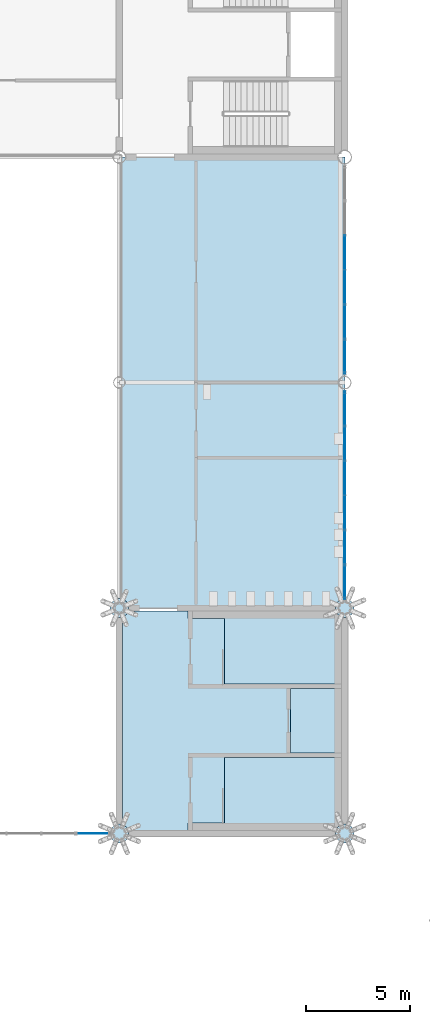
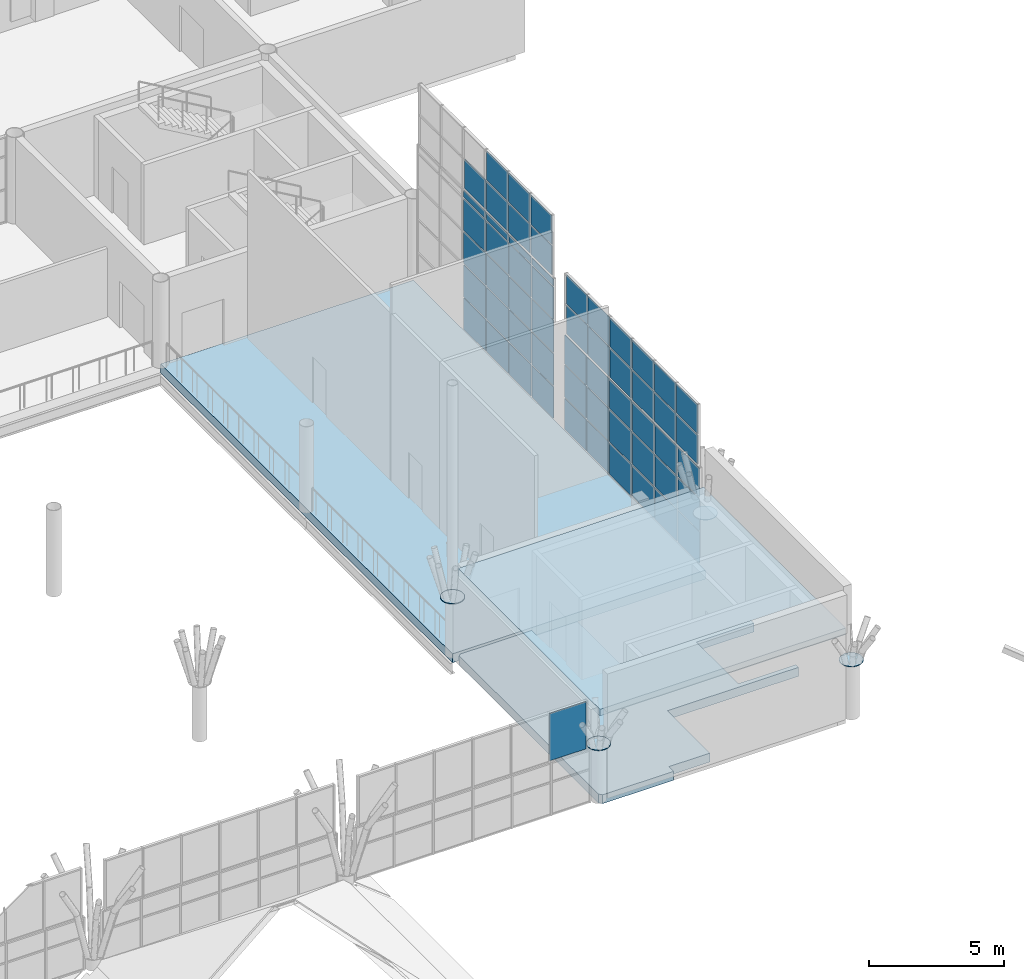
# One storey, part 49 of 95: 62 plates, 3 slabs, 5 elements without a shape of their own.
"""IFC4 building model written with IfcOpenShell, lengths in metres."""

import ifcopenshell
import ifcopenshell.guid

model = None  # the IFC model being written
_history = None  # IfcOwnerHistory: only IFC2X3 demands one
_inside = {}  # id of a spatial element -> (the spatial element, [elements in it])
_under = {}  # id of a project, library or spatial element -> (it, [spatial elements below it])
_declared = {}  # id of a project -> (the project, [libraries it declares])
_typed = {}  # id of a type object -> (the type object, [elements of that type])
_made_of = {}  # id of a material, layer set ... -> (it, [elements and type objects made of it])


def new_model(schema):
    """Start an empty IFC model of exactly this schema.

    Asked for "IFC4X3", IfcOpenShell would pick the latest addendum, in which some entities
    have other attributes; the version numbers below select the first issue.
    IFC2X3 requires an IfcOwnerHistory on every rooted entity: one is made here for all.
    """
    global model, _history
    if schema == "IFC4X3":
        model = ifcopenshell.file(schema_version=(4, 3, 0, 0))
    else:
        model = ifcopenshell.file(schema=schema)
    _inside.clear()
    _under.clear()
    _declared.clear()
    _typed.clear()
    _made_of.clear()
    _history = None
    if model.schema == "IFC2X3":
        org = make("IfcOrganization", Name="unknown")
        user = make(
            "IfcPersonAndOrganization",
            ThePerson=make("IfcPerson", FamilyName="unknown"),
            TheOrganization=org,
        )
        app = make(
            "IfcApplication",
            ApplicationDeveloper=org,
            Version="unknown",
            ApplicationFullName="unknown",
            ApplicationIdentifier="unknown",
        )
        _history = make(
            "IfcOwnerHistory",
            OwningUser=user,
            OwningApplication=app,
            ChangeAction="ADDED",
            CreationDate=0,
        )
    return model


def make(cls, **values):
    """One entity of the class cls with the attributes given. An attribute that is None is left unset."""
    return model.create_entity(
        cls, **{name: value for name, value in values.items() if value is not None}
    )


def rooted(cls, **values):
    """An entity with a GlobalId (a new one), such as an element, a storey or a relation."""
    return make(cls, GlobalId=ifcopenshell.guid.new(), OwnerHistory=_history, **values)


def si_unit(unit_type, name, prefix=None):
    """IfcSIUnit, for example si_unit("LENGTHUNIT", "METRE", prefix="MILLI")."""
    return make("IfcSIUnit", UnitType=unit_type, Prefix=prefix, Name=name)


def assignment(units):
    """IfcUnitAssignment: the units of a project."""
    return None if units is None else make("IfcUnitAssignment", Units=units)


def point(xyz):
    """IfcCartesianPoint."""
    return None if xyz is None else make("IfcCartesianPoint", Coordinates=xyz)


def direction(xyz):
    """IfcDirection."""
    return None if xyz is None else make("IfcDirection", DirectionRatios=xyz)


def frame(location, z_axis=None, x_axis=None):
    """IfcAxis2Placement3D, a coordinate frame: its origin and axes. An axis left out is left unset."""
    return make(
        "IfcAxis2Placement3D",
        Location=point(location),
        Axis=direction(z_axis),
        RefDirection=direction(x_axis),
    )


def frame_2d(location, x_axis=None):
    """IfcAxis2Placement2D, a coordinate frame in the plane: its origin and x axis."""
    return make(
        "IfcAxis2Placement2D", Location=point(location), RefDirection=direction(x_axis)
    )


def origin():
    """The frame at (0, 0, 0) with its axes left unset."""
    return frame((0.0, 0.0, 0.0))


def origin_2d():
    """The frame at (0, 0) in the plane with its x axis left unset."""
    return frame_2d((0.0, 0.0))


def place(relative_to, where):
    """IfcLocalPlacement: puts the frame where relative to a parent placement (None: the world)."""
    return make(
        "IfcLocalPlacement", PlacementRelTo=relative_to, RelativePlacement=where
    )


def context(
    kind, dimensions, precision=None, world=None, true_north=None, identifier=None
):
    """IfcGeometricRepresentationContext, for example the 3D "Model" context."""
    return make(
        "IfcGeometricRepresentationContext",
        ContextIdentifier=identifier,
        ContextType=kind,
        CoordinateSpaceDimension=dimensions,
        Precision=precision,
        WorldCoordinateSystem=world,
        TrueNorth=true_north,
    )


def subcontext(parent, identifier, kind, view, scale=None):
    """IfcGeometricRepresentationSubContext, for example "Body" below "Model"."""
    return make(
        "IfcGeometricRepresentationSubContext",
        ContextIdentifier=identifier,
        ContextType=kind,
        ParentContext=parent,
        TargetScale=scale,
        TargetView=view,
    )


def project(units=None, contexts=None):
    """IfcProject with its units and contexts."""
    return rooted(
        "IfcProject",
        Name="project",
        RepresentationContexts=contexts,
        UnitsInContext=assignment(units),
    )


def spatial(cls, under=None, at=None, **own):
    """A site, building, storey or space (cls), placed at a placement, below another one or the project."""
    s = rooted(cls, ObjectPlacement=at, **own)
    if under is not None:
        _under.setdefault(under.id(), (under, []))[1].append(s)
    return s


def polyline(points):
    """IfcPolyline through the points."""
    return make("IfcPolyline", Points=[point(p) for p in points])


def profile(cls, at=None, kind="AREA", **sizes):
    """A parametric profile (cls). Its sizes go by their IFC names, for example OverallWidth=200.0."""
    return make(cls, ProfileType=kind, Position=at, **sizes)


def rectangle(**sizes):
    """IfcRectangleProfileDef."""
    return profile("IfcRectangleProfileDef", **sizes)


def circle(**sizes):
    """IfcCircleProfileDef."""
    return profile("IfcCircleProfileDef", **sizes)


def outline(outer, holes=None, kind="AREA"):
    """IfcArbitraryClosedProfileDef: a profile drawn as a closed curve; with holes, ...WithVoids."""
    if holes is None:
        return make("IfcArbitraryClosedProfileDef", ProfileType=kind, OuterCurve=outer)
    return make(
        "IfcArbitraryProfileDefWithVoids",
        ProfileType=kind,
        OuterCurve=outer,
        InnerCurves=holes,
    )


def extrude(swept, where, along, depth):
    """IfcExtrudedAreaSolid: the profile swept, set in the frame where, extruded along a direction by depth."""
    return make(
        "IfcExtrudedAreaSolid",
        SweptArea=swept,
        Position=where,
        ExtrudedDirection=direction(along),
        Depth=depth,
    )


def shape(context_of_items, identifier, shape_type, items):
    """IfcShapeRepresentation: the items that make up one representation, for example the "Body"."""
    return make(
        "IfcShapeRepresentation",
        ContextOfItems=context_of_items,
        RepresentationIdentifier=identifier,
        RepresentationType=shape_type,
        Items=items,
    )


def material(Name=None, Category=None):
    """IfcMaterial."""
    return make("IfcMaterial", Name=Name, Category=Category)


def layer(
    of_material, thickness, ventilated=None, Name=None, Category=None, Priority=None
):
    """IfcMaterialLayer: one layer of a wall or slab, of a material (None: an air gap)."""
    return make(
        "IfcMaterialLayer",
        Material=of_material,
        LayerThickness=thickness,
        IsVentilated=ventilated,
        Name=Name,
        Category=Category,
        Priority=Priority,
    )


def layer_set(layers, Name=None):
    """IfcMaterialLayerSet."""
    return make("IfcMaterialLayerSet", MaterialLayers=layers, LayerSetName=Name)


def material_profile(
    of_material, cross_section, Name=None, Category=None, Priority=None
):
    """IfcMaterialProfile: a cross section and its material."""
    return make(
        "IfcMaterialProfile",
        Name=Name,
        Material=of_material,
        Profile=cross_section,
        Priority=Priority,
        Category=Category,
    )


def profile_set(profiles, Name=None, composite=None):
    """IfcMaterialProfileSet."""
    return make(
        "IfcMaterialProfileSet",
        Name=Name,
        MaterialProfiles=profiles,
        CompositeProfile=composite,
    )


def made_of(thing, what):
    """Note that an element or type object is made of a material, layer set ...; save() writes the relation."""
    if what is not None:
        _made_of.setdefault(what.id(), (what, []))[1].append(thing)
    return thing


def type_object(cls, material=None, **own):
    """A type object (cls), such as IfcWallType, which elements share."""
    return made_of(rooted(cls, **own), material)


def element(
    cls,
    number,
    at=None,
    inside=None,
    cuts=None,
    type_object=None,
    material=None,
    context=None,
    identifier="Body",
    shape_type=None,
    held_by="IfcProductDefinitionShape",
    body=None,
    shapes=None,
    **own,
):
    """One element of the class cls, such as IfcWall. Its Tag is "e" and its number.

    at: its placement. inside: the storey or other place that contains it. cuts: it is an
    opening in that element (IfcRelVoidsElement). A single representation is given by context,
    identifier, shape_type and body (its items); several are given by shapes. held_by: the class
    of the entity that holds the representations. save() writes the other relations.
    """
    e = rooted(cls, Tag="e%d" % number, ObjectPlacement=at, **own)
    if body is not None:
        shapes = [shape(context, identifier, shape_type, body)]
    if shapes is not None:
        e.Representation = make(held_by, Representations=shapes)
    if inside is not None:
        _inside.setdefault(inside.id(), (inside, []))[1].append(e)
    if cuts is not None:
        rooted(
            "IfcRelVoidsElement", RelatingBuildingElement=cuts, RelatedOpeningElement=e
        )
    if type_object is not None:
        _typed.setdefault(type_object.id(), (type_object, []))[1].append(e)
    return made_of(e, material)


def aggregate(whole, parts):
    """IfcRelAggregates: a whole, such as a stair, and the parts it consists of."""
    return rooted("IfcRelAggregates", RelatingObject=whole, RelatedObjects=parts)


def save(model, path):
    """Write the relations noted so far, then the file.

    IfcRelAggregates (storeys below a building ...), IfcRelContainedInSpatialStructure (elements
    in a storey), IfcRelDefinesByType, IfcRelAssociatesMaterial and IfcRelDeclares: one each for
    every whole, place, type object, material and project.
    """
    for whole, parts in _under.values():
        aggregate(whole, parts)
    for where, things in _inside.values():
        rooted(
            "IfcRelContainedInSpatialStructure",
            RelatedElements=things,
            RelatingStructure=where,
        )
    for kind, things in _typed.values():
        rooted("IfcRelDefinesByType", RelatedObjects=things, RelatingType=kind)
    for what, things in _made_of.values():
        rooted("IfcRelAssociatesMaterial", RelatedObjects=things, RelatingMaterial=what)
    for by, libraries in _declared.values():
        rooted("IfcRelDeclares", RelatingContext=by, RelatedDefinitions=libraries)
    model.write(path)


model = new_model("IFC4")

# Units and contexts
model_context = context("Model", 3, precision=1e-05, world=origin(), true_north=direction((0.0, 1.0)))
body_context = subcontext(model_context, "Body", "Model", "MODEL_VIEW")
ifc_project = project(units=[si_unit("LENGTHUNIT", "METRE"), si_unit("AREAUNIT", "SQUARE_METRE"), si_unit("VOLUMEUNIT", "CUBIC_METRE"), si_unit("PLANEANGLEUNIT", "RADIAN"), si_unit("MASSUNIT", "GRAM", prefix="KILO")], contexts=[model_context])

# Site, building, storey
site_placement = place(None, origin())
site = spatial("IfcSite", under=ifc_project, at=site_placement, CompositionType="ELEMENT")
building_placement = place(site_placement, origin())
building = spatial("IfcBuilding", under=site, at=building_placement, Name="Magnolia Steps Interchange", CompositionType="ELEMENT")
storey_placement = place(building_placement, frame((0.0, 0.0, 4.800048828125)))
storey = spatial("IfcBuildingStorey", under=building, at=storey_placement, Name="L01", CompositionType="ELEMENT", Elevation=4.800048828125)

# Slabs
ifc_material_1 = material(Name="Concrete C35", Category="concrete")
ifc_layer_1 = layer(ifc_material_1, 0.39990234375)
ifc_layer_set_1 = layer_set([ifc_layer_1], Name="Core floor slab 400")
slab_type_1 = type_object("IfcSlabType", Name="Core floor slab 400", PredefinedType="FLOOR", material=ifc_layer_set_1)
slab_1_placement = place(storey_placement, frame((0.0, 0.0, -0.400146484375)))
element("IfcSlab", 1, at=slab_1_placement, inside=storey, type_object=slab_type_1, Name="L01 core floor HC4", PredefinedType="FLOOR", context=body_context, shape_type="SweptSolid", body=[
    extrude(outline(polyline([(107.435791015625, 42.593505859375), (107.415771484375, 42.61572265625), (107.3935546875, 42.6357421875), (107.369384765625, 42.653564453125), (107.35009765625, 42.665283203125), (107.35009765625, 52.96435546875), (107.355224609375, 52.967529296875), (107.377197265625, 52.98388671875), (107.397705078125, 53.00244140625), (107.416015625, 53.022705078125), (107.432373046875, 53.044677734375), (107.435546875, 53.050048828125), (110.5, 53.050048828125), (110.5, 52.699951171875), (112.25, 52.699951171875), (112.25, 49.550048828125), (117.85009765625, 49.550048828125), (117.85009765625, 49.35009765625), (115.39990234375, 49.35009765625), (115.39990234375, 46.25), (117.85009765625, 46.25), (117.85009765625, 46.050048828125), (112.25, 46.050048828125), (112.25, 42.89990234375), (110.5, 42.89990234375), (110.5, 42.550048828125), (107.46533203125, 42.550048828125), (107.45361328125, 42.5693359375), (107.435791015625, 42.593505859375)])), origin(), (0.0, 0.0, 1.0), 0.400146484375),
])
ifc_material_2 = material(Name="Concrete C35", Category="concrete")
ifc_layer_2 = layer(ifc_material_2, 0.300048828125)
ifc_layer_set_2 = layer_set([ifc_layer_2], Name="Core roof slab")
slab_type_2 = type_object("IfcSlabType", Name="Core roof slab", PredefinedType="ROOF", material=ifc_layer_set_2)
slab_2_placement = place(storey_placement, frame((0.0, 0.0, 3.599853515625)))
element("IfcSlab", 2, at=slab_2_placement, inside=storey, type_object=slab_type_2, Name="HC4 core roof", PredefinedType="ROOF", context=body_context, shape_type="SweptSolid", body=[
    extrude(outline(polyline([(107.35009765625, 42.550048828125), (107.35009765625, 53.050048828125), (117.85009765625, 53.050048828125), (117.85009765625, 42.550048828125), (107.35009765625, 42.550048828125)])), origin(), (0.0, 0.0, 1.0), 0.300048828125),
])
ifc_material_3 = material(Name="Concrete C40", Category="concrete")
ifc_layer_3 = layer(ifc_material_3, 0.39990234375)
ifc_layer_set_3 = layer_set([ifc_layer_3], Name="Floor slab 400")
slab_type_3 = type_object("IfcSlabType", Name="Floor slab 400", PredefinedType="FLOOR", material=ifc_layer_set_3)
slab_3_placement = place(storey_placement, frame((0.0, 0.0, -0.400146484375)))
element("IfcSlab", 3, at=slab_3_placement, inside=storey, type_object=slab_type_3, Name="Hall gallery floor", PredefinedType="FLOOR", context=body_context, shape_type="SweptSolid", body=[
    extrude(outline(polyline([(118.0, 74.800048828125), (107.199951171875, 74.800048828125), (107.199951171875, 53.199951171875), (118.0, 53.199951171875), (118.0, 74.800048828125)])), origin(), (0.0, 0.0, 1.0), 0.400146484375),
])

# Curtain wall, plate
ifc_material_4 = material(Name="Powder-coated aluminium and glass", Category="aluminium")
ifc_layer_4 = layer(ifc_material_4, 0.1201171875)
ifc_layer_set_4 = layer_set([ifc_layer_4], Name="Hall clerestory curtain wall")
curtain_wall_type_1 = type_object("IfcCurtainWallType", Name="Hall clerestory curtain wall", PredefinedType="NOTDEFINED", material=ifc_layer_set_4)
curtain_wall_1_placement = place(storey_placement, origin())
curtain_wall_1 = element("IfcCurtainWall", 4, at=curtain_wall_1_placement, inside=storey, type_object=curtain_wall_type_1, Name="Hall clerestory S5", PredefinedType="NOTDEFINED")
ifc_material_5 = material(Name="Laminated glass", Category="glass")
ifc_layer_5 = layer(ifc_material_5, 0.028076171875)
ifc_layer_set_5 = layer_set([ifc_layer_5], Name="Glass panel 28")
plate_type_1 = type_object("IfcPlateType", Name="Glass panel 28", PredefinedType="CURTAIN_PANEL", material=ifc_layer_set_5)
plate_1_placement = place(storey_placement, frame((105.885009765625, 42.39990234375, 2.4599609375), z_axis=(0.0, 0.0, 1.0), x_axis=(1.0, 0.0, 0.0)))
plate_1 = element("IfcPlate", 5, at=plate_1_placement, type_object=plate_type_1, Name="CW6 panel 6.1", PredefinedType="CURTAIN_PANEL", context=body_context, shape_type="SweptSolid", body=[
    extrude(rectangle(XDim=1.550048828125, YDim=0.028076171875, at=origin_2d()), origin(), (0.0, 0.0, 1.0), 2.12890625),
])
aggregate(curtain_wall_1, [plate_1])

# Curtain wall, plates
ifc_material_6 = material(Name="Powder-coated aluminium and glass", Category="aluminium")
ifc_layer_6 = layer(ifc_material_6, 0.14990234375)
ifc_layer_set_6 = layer_set([ifc_layer_6], Name="Glazed hall curtain wall")
curtain_wall_type_2 = type_object("IfcCurtainWallType", Name="Glazed hall curtain wall", PredefinedType="NOTDEFINED", material=ifc_layer_set_6)
curtain_wall_2_placement = place(storey_placement, origin())
curtain_wall_2 = element("IfcCurtainWall", 6, at=curtain_wall_2_placement, inside=storey, type_object=curtain_wall_type_2, Name="Hall glazing E2 L01", PredefinedType="NOTDEFINED")
plate_2_placement = place(storey_placement, frame((118.0, 54.4150390625, 0.06005859375), z_axis=(0.0, 0.0, 1.0), x_axis=(0.0, 1.0, 0.0)))
plate_2 = element("IfcPlate", 7, at=plate_2_placement, type_object=plate_type_1, Name="CW1 panel 1.1", PredefinedType="CURTAIN_PANEL", context=body_context, shape_type="SweptSolid", body=[
    extrude(rectangle(XDim=1.590087890625, YDim=0.028076171875, at=origin_2d()), origin(), (0.0, 0.0, 1.0), 1.409912109375),
])
plate_3_placement = place(storey_placement, frame((118.0, 54.4150390625, 1.530029296875), z_axis=(0.0, 0.0, 1.0), x_axis=(0.0, 1.0, 0.0)))
plate_3 = element("IfcPlate", 8, at=plate_3_placement, type_object=plate_type_1, Name="CW1 panel 1.2", PredefinedType="CURTAIN_PANEL", context=body_context, shape_type="SweptSolid", body=[
    extrude(rectangle(XDim=1.590087890625, YDim=0.028076171875, at=origin_2d()), origin(), (0.0, 0.0, 1.0), 1.43994140625),
])
plate_4_placement = place(storey_placement, frame((118.0, 54.4150390625, 3.030029296875), z_axis=(0.0, 0.0, 1.0), x_axis=(0.0, 1.0, 0.0)))
plate_4 = element("IfcPlate", 9, at=plate_4_placement, type_object=plate_type_1, Name="CW1 panel 1.3", PredefinedType="CURTAIN_PANEL", context=body_context, shape_type="SweptSolid", body=[
    extrude(rectangle(XDim=1.590087890625, YDim=0.028076171875, at=origin_2d()), origin(), (0.0, 0.0, 1.0), 1.31005859375),
])
plate_5_placement = place(storey_placement, frame((118.0, 56.080078125, 0.06005859375), z_axis=(0.0, 0.0, 1.0), x_axis=(0.0, 1.0, 0.0)))
plate_5 = element("IfcPlate", 10, at=plate_5_placement, type_object=plate_type_1, Name="CW1 panel 2.1", PredefinedType="CURTAIN_PANEL", context=body_context, shape_type="SweptSolid", body=[
    extrude(rectangle(XDim=1.6201171875, YDim=0.028076171875, at=origin_2d()), origin(), (0.0, 0.0, 1.0), 1.409912109375),
])
plate_6_placement = place(storey_placement, frame((118.0, 56.080078125, 1.530029296875), z_axis=(0.0, 0.0, 1.0), x_axis=(0.0, 1.0, 0.0)))
plate_6 = element("IfcPlate", 11, at=plate_6_placement, type_object=plate_type_1, Name="CW1 panel 2.2", PredefinedType="CURTAIN_PANEL", context=body_context, shape_type="SweptSolid", body=[
    extrude(rectangle(XDim=1.6201171875, YDim=0.028076171875, at=origin_2d()), origin(), (0.0, 0.0, 1.0), 1.43994140625),
])
plate_7_placement = place(storey_placement, frame((118.0, 56.080078125, 3.030029296875), z_axis=(0.0, 0.0, 1.0), x_axis=(0.0, 1.0, 0.0)))
plate_7 = element("IfcPlate", 12, at=plate_7_placement, type_object=plate_type_1, Name="CW1 panel 2.3", PredefinedType="CURTAIN_PANEL", context=body_context, shape_type="SweptSolid", body=[
    extrude(rectangle(XDim=1.6201171875, YDim=0.028076171875, at=origin_2d()), origin(), (0.0, 0.0, 1.0), 1.31005859375),
])
plate_8_placement = place(storey_placement, frame((118.0, 57.760009765625, 0.06005859375), z_axis=(0.0, 0.0, 1.0), x_axis=(0.0, 1.0, 0.0)))
plate_8 = element("IfcPlate", 13, at=plate_8_placement, type_object=plate_type_1, Name="CW1 panel 3.1", PredefinedType="CURTAIN_PANEL", context=body_context, shape_type="SweptSolid", body=[
    extrude(rectangle(XDim=1.6201171875, YDim=0.028076171875, at=origin_2d()), origin(), (0.0, 0.0, 1.0), 1.409912109375),
])
plate_9_placement = place(storey_placement, frame((118.0, 57.760009765625, 1.530029296875), z_axis=(0.0, 0.0, 1.0), x_axis=(0.0, 1.0, 0.0)))
plate_9 = element("IfcPlate", 14, at=plate_9_placement, type_object=plate_type_1, Name="CW1 panel 3.2", PredefinedType="CURTAIN_PANEL", context=body_context, shape_type="SweptSolid", body=[
    extrude(rectangle(XDim=1.6201171875, YDim=0.028076171875, at=origin_2d()), origin(), (0.0, 0.0, 1.0), 1.43994140625),
])
plate_10_placement = place(storey_placement, frame((118.0, 57.760009765625, 3.030029296875), z_axis=(0.0, 0.0, 1.0), x_axis=(0.0, 1.0, 0.0)))
plate_10 = element("IfcPlate", 15, at=plate_10_placement, type_object=plate_type_1, Name="CW1 panel 3.3", PredefinedType="CURTAIN_PANEL", context=body_context, shape_type="SweptSolid", body=[
    extrude(rectangle(XDim=1.6201171875, YDim=0.028076171875, at=origin_2d()), origin(), (0.0, 0.0, 1.0), 1.31005859375),
])
plate_11_placement = place(storey_placement, frame((118.0, 59.43994140625, 0.06005859375), z_axis=(0.0, 0.0, 1.0), x_axis=(0.0, 1.0, 0.0)))
plate_11 = element("IfcPlate", 16, at=plate_11_placement, type_object=plate_type_1, Name="CW1 panel 4.1", PredefinedType="CURTAIN_PANEL", context=body_context, shape_type="SweptSolid", body=[
    extrude(rectangle(XDim=1.6201171875, YDim=0.028076171875, at=origin_2d()), origin(), (0.0, 0.0, 1.0), 1.409912109375),
])
plate_12_placement = place(storey_placement, frame((118.0, 59.43994140625, 1.530029296875), z_axis=(0.0, 0.0, 1.0), x_axis=(0.0, 1.0, 0.0)))
plate_12 = element("IfcPlate", 17, at=plate_12_placement, type_object=plate_type_1, Name="CW1 panel 4.2", PredefinedType="CURTAIN_PANEL", context=body_context, shape_type="SweptSolid", body=[
    extrude(rectangle(XDim=1.6201171875, YDim=0.028076171875, at=origin_2d()), origin(), (0.0, 0.0, 1.0), 1.43994140625),
])
plate_13_placement = place(storey_placement, frame((118.0, 59.43994140625, 3.030029296875), z_axis=(0.0, 0.0, 1.0), x_axis=(0.0, 1.0, 0.0)))
plate_13 = element("IfcPlate", 18, at=plate_13_placement, type_object=plate_type_1, Name="CW1 panel 4.3", PredefinedType="CURTAIN_PANEL", context=body_context, shape_type="SweptSolid", body=[
    extrude(rectangle(XDim=1.6201171875, YDim=0.028076171875, at=origin_2d()), origin(), (0.0, 0.0, 1.0), 1.31005859375),
])
plate_14_placement = place(storey_placement, frame((118.0, 61.1201171875, 0.06005859375), z_axis=(0.0, 0.0, 1.0), x_axis=(0.0, 1.0, 0.0)))
plate_14 = element("IfcPlate", 19, at=plate_14_placement, type_object=plate_type_1, Name="CW1 panel 5.1", PredefinedType="CURTAIN_PANEL", context=body_context, shape_type="SweptSolid", body=[
    extrude(rectangle(XDim=1.6201171875, YDim=0.028076171875, at=origin_2d()), origin(), (0.0, 0.0, 1.0), 1.409912109375),
])
plate_15_placement = place(storey_placement, frame((118.0, 61.1201171875, 1.530029296875), z_axis=(0.0, 0.0, 1.0), x_axis=(0.0, 1.0, 0.0)))
plate_15 = element("IfcPlate", 20, at=plate_15_placement, type_object=plate_type_1, Name="CW1 panel 5.2", PredefinedType="CURTAIN_PANEL", context=body_context, shape_type="SweptSolid", body=[
    extrude(rectangle(XDim=1.6201171875, YDim=0.028076171875, at=origin_2d()), origin(), (0.0, 0.0, 1.0), 1.43994140625),
])
plate_16_placement = place(storey_placement, frame((118.0, 61.1201171875, 3.030029296875), z_axis=(0.0, 0.0, 1.0), x_axis=(0.0, 1.0, 0.0)))
plate_16 = element("IfcPlate", 21, at=plate_16_placement, type_object=plate_type_1, Name="CW1 panel 5.3", PredefinedType="CURTAIN_PANEL", context=body_context, shape_type="SweptSolid", body=[
    extrude(rectangle(XDim=1.6201171875, YDim=0.028076171875, at=origin_2d()), origin(), (0.0, 0.0, 1.0), 1.31005859375),
])
plate_17_placement = place(storey_placement, frame((118.0, 62.784912109375, 0.06005859375), z_axis=(0.0, 0.0, 1.0), x_axis=(0.0, 1.0, 0.0)))
plate_17 = element("IfcPlate", 22, at=plate_17_placement, type_object=plate_type_1, Name="CW1 panel 6.1", PredefinedType="CURTAIN_PANEL", context=body_context, shape_type="SweptSolid", body=[
    extrude(rectangle(XDim=1.590087890625, YDim=0.028076171875, at=origin_2d()), origin(), (0.0, 0.0, 1.0), 1.409912109375),
])
plate_18_placement = place(storey_placement, frame((118.0, 62.784912109375, 1.530029296875), z_axis=(0.0, 0.0, 1.0), x_axis=(0.0, 1.0, 0.0)))
plate_18 = element("IfcPlate", 23, at=plate_18_placement, type_object=plate_type_1, Name="CW1 panel 6.2", PredefinedType="CURTAIN_PANEL", context=body_context, shape_type="SweptSolid", body=[
    extrude(rectangle(XDim=1.590087890625, YDim=0.028076171875, at=origin_2d()), origin(), (0.0, 0.0, 1.0), 1.43994140625),
])
plate_19_placement = place(storey_placement, frame((118.0, 62.784912109375, 3.030029296875), z_axis=(0.0, 0.0, 1.0), x_axis=(0.0, 1.0, 0.0)))
plate_19 = element("IfcPlate", 24, at=plate_19_placement, type_object=plate_type_1, Name="CW1 panel 6.3", PredefinedType="CURTAIN_PANEL", context=body_context, shape_type="SweptSolid", body=[
    extrude(rectangle(XDim=1.590087890625, YDim=0.028076171875, at=origin_2d()), origin(), (0.0, 0.0, 1.0), 1.31005859375),
])
aggregate(curtain_wall_2, [plate_2, plate_3, plate_4, plate_5, plate_6, plate_7, plate_8, plate_9, plate_10, plate_11, plate_12, plate_13, plate_14, plate_15, plate_16, plate_17, plate_18, plate_19])

curtain_wall_3_placement = place(storey_placement, origin())
curtain_wall_3 = element("IfcCurtainWall", 25, at=curtain_wall_3_placement, inside=storey, type_object=curtain_wall_type_1, Name="Hall clerestory E2", PredefinedType="NOTDEFINED")
plate_20_placement = place(storey_placement, frame((118.0, 54.514892578125, 4.4599609375), z_axis=(0.0, 0.0, 1.0), x_axis=(0.0, 1.0, 0.0)))
plate_20 = element("IfcPlate", 26, at=plate_20_placement, type_object=plate_type_1, Name="CW6 panel 1.1", PredefinedType="CURTAIN_PANEL", context=body_context, shape_type="SweptSolid", body=[
    extrude(rectangle(XDim=1.550048828125, YDim=0.028076171875, at=origin_2d()), origin(), (0.0, 0.0, 1.0), 1.31005859375),
])
plate_21_placement = place(storey_placement, frame((118.0, 54.514892578125, 5.829833984375), z_axis=(0.0, 0.0, 1.0), x_axis=(0.0, 1.0, 0.0)))
plate_21 = element("IfcPlate", 27, at=plate_21_placement, type_object=plate_type_1, Name="CW6 panel 1.2", PredefinedType="CURTAIN_PANEL", context=body_context, shape_type="SweptSolid", body=[
    extrude(rectangle(XDim=1.550048828125, YDim=0.028076171875, at=origin_2d()), origin(), (0.0, 0.0, 1.0), 1.31005859375),
])
plate_22_placement = place(storey_placement, frame((118.0, 56.139892578125, 4.4599609375), z_axis=(0.0, 0.0, 1.0), x_axis=(0.0, 1.0, 0.0)))
plate_22 = element("IfcPlate", 28, at=plate_22_placement, type_object=plate_type_1, Name="CW6 panel 2.1", PredefinedType="CURTAIN_PANEL", context=body_context, shape_type="SweptSolid", body=[
    extrude(rectangle(XDim=1.580078125, YDim=0.028076171875, at=origin_2d()), origin(), (0.0, 0.0, 1.0), 1.31005859375),
])
plate_23_placement = place(storey_placement, frame((118.0, 56.139892578125, 5.829833984375), z_axis=(0.0, 0.0, 1.0), x_axis=(0.0, 1.0, 0.0)))
plate_23 = element("IfcPlate", 29, at=plate_23_placement, type_object=plate_type_1, Name="CW6 panel 2.2", PredefinedType="CURTAIN_PANEL", context=body_context, shape_type="SweptSolid", body=[
    extrude(rectangle(XDim=1.580078125, YDim=0.028076171875, at=origin_2d()), origin(), (0.0, 0.0, 1.0), 1.31005859375),
])
plate_24_placement = place(storey_placement, frame((118.0, 57.780029296875, 4.4599609375), z_axis=(0.0, 0.0, 1.0), x_axis=(0.0, 1.0, 0.0)))
plate_24 = element("IfcPlate", 30, at=plate_24_placement, type_object=plate_type_1, Name="CW6 panel 3.1", PredefinedType="CURTAIN_PANEL", context=body_context, shape_type="SweptSolid", body=[
    extrude(rectangle(XDim=1.580078125, YDim=0.028076171875, at=origin_2d()), origin(), (0.0, 0.0, 1.0), 1.31005859375),
])
plate_25_placement = place(storey_placement, frame((118.0, 57.780029296875, 5.829833984375), z_axis=(0.0, 0.0, 1.0), x_axis=(0.0, 1.0, 0.0)))
plate_25 = element("IfcPlate", 31, at=plate_25_placement, type_object=plate_type_1, Name="CW6 panel 3.2", PredefinedType="CURTAIN_PANEL", context=body_context, shape_type="SweptSolid", body=[
    extrude(rectangle(XDim=1.580078125, YDim=0.028076171875, at=origin_2d()), origin(), (0.0, 0.0, 1.0), 1.31005859375),
])
plate_26_placement = place(storey_placement, frame((118.0, 59.419921875, 4.4599609375), z_axis=(0.0, 0.0, 1.0), x_axis=(0.0, 1.0, 0.0)))
plate_26 = element("IfcPlate", 32, at=plate_26_placement, type_object=plate_type_1, Name="CW6 panel 4.1", PredefinedType="CURTAIN_PANEL", context=body_context, shape_type="SweptSolid", body=[
    extrude(rectangle(XDim=1.580078125, YDim=0.028076171875, at=origin_2d()), origin(), (0.0, 0.0, 1.0), 1.31005859375),
])
plate_27_placement = place(storey_placement, frame((118.0, 59.419921875, 5.829833984375), z_axis=(0.0, 0.0, 1.0), x_axis=(0.0, 1.0, 0.0)))
plate_27 = element("IfcPlate", 33, at=plate_27_placement, type_object=plate_type_1, Name="CW6 panel 4.2", PredefinedType="CURTAIN_PANEL", context=body_context, shape_type="SweptSolid", body=[
    extrude(rectangle(XDim=1.580078125, YDim=0.028076171875, at=origin_2d()), origin(), (0.0, 0.0, 1.0), 1.31005859375),
])
plate_28_placement = place(storey_placement, frame((118.0, 61.06005859375, 4.4599609375), z_axis=(0.0, 0.0, 1.0), x_axis=(0.0, 1.0, 0.0)))
plate_28 = element("IfcPlate", 34, at=plate_28_placement, type_object=plate_type_1, Name="CW6 panel 5.1", PredefinedType="CURTAIN_PANEL", context=body_context, shape_type="SweptSolid", body=[
    extrude(rectangle(XDim=1.580078125, YDim=0.028076171875, at=origin_2d()), origin(), (0.0, 0.0, 1.0), 1.31005859375),
])
plate_29_placement = place(storey_placement, frame((118.0, 61.06005859375, 5.829833984375), z_axis=(0.0, 0.0, 1.0), x_axis=(0.0, 1.0, 0.0)))
plate_29 = element("IfcPlate", 35, at=plate_29_placement, type_object=plate_type_1, Name="CW6 panel 5.2", PredefinedType="CURTAIN_PANEL", context=body_context, shape_type="SweptSolid", body=[
    extrude(rectangle(XDim=1.580078125, YDim=0.028076171875, at=origin_2d()), origin(), (0.0, 0.0, 1.0), 1.31005859375),
])
plate_30_placement = place(storey_placement, frame((118.0, 62.68505859375, 4.4599609375), z_axis=(0.0, 0.0, 1.0), x_axis=(0.0, 1.0, 0.0)))
plate_30 = element("IfcPlate", 36, at=plate_30_placement, type_object=plate_type_1, Name="CW6 panel 6.1", PredefinedType="CURTAIN_PANEL", context=body_context, shape_type="SweptSolid", body=[
    extrude(rectangle(XDim=1.550048828125, YDim=0.028076171875, at=origin_2d()), origin(), (0.0, 0.0, 1.0), 1.31005859375),
])
plate_31_placement = place(storey_placement, frame((118.0, 62.68505859375, 5.829833984375), z_axis=(0.0, 0.0, 1.0), x_axis=(0.0, 1.0, 0.0)))
plate_31 = element("IfcPlate", 37, at=plate_31_placement, type_object=plate_type_1, Name="CW6 panel 6.2", PredefinedType="CURTAIN_PANEL", context=body_context, shape_type="SweptSolid", body=[
    extrude(rectangle(XDim=1.550048828125, YDim=0.028076171875, at=origin_2d()), origin(), (0.0, 0.0, 1.0), 1.31005859375),
])
aggregate(curtain_wall_3, [plate_20, plate_21, plate_22, plate_23, plate_24, plate_25, plate_26, plate_27, plate_28, plate_29, plate_30, plate_31])

curtain_wall_4_placement = place(storey_placement, origin())
curtain_wall_4 = element("IfcCurtainWall", 38, at=curtain_wall_4_placement, inside=storey, type_object=curtain_wall_type_2, Name="Hall glazing E3 L01", PredefinedType="NOTDEFINED")
plate_32_placement = place(storey_placement, frame((118.0, 65.215087890625, 0.06005859375), z_axis=(0.0, 0.0, 1.0), x_axis=(0.0, 1.0, 0.0)))
plate_32 = element("IfcPlate", 39, at=plate_32_placement, type_object=plate_type_1, Name="CW1 panel 1.1", PredefinedType="CURTAIN_PANEL", context=body_context, shape_type="SweptSolid", body=[
    extrude(rectangle(XDim=1.590087890625, YDim=0.028076171875, at=origin_2d()), origin(), (0.0, 0.0, 1.0), 1.409912109375),
])
plate_33_placement = place(storey_placement, frame((118.0, 65.215087890625, 1.530029296875), z_axis=(0.0, 0.0, 1.0), x_axis=(0.0, 1.0, 0.0)))
plate_33 = element("IfcPlate", 40, at=plate_33_placement, type_object=plate_type_1, Name="CW1 panel 1.2", PredefinedType="CURTAIN_PANEL", context=body_context, shape_type="SweptSolid", body=[
    extrude(rectangle(XDim=1.590087890625, YDim=0.028076171875, at=origin_2d()), origin(), (0.0, 0.0, 1.0), 1.43994140625),
])
plate_34_placement = place(storey_placement, frame((118.0, 65.215087890625, 3.030029296875), z_axis=(0.0, 0.0, 1.0), x_axis=(0.0, 1.0, 0.0)))
plate_34 = element("IfcPlate", 41, at=plate_34_placement, type_object=plate_type_1, Name="CW1 panel 1.3", PredefinedType="CURTAIN_PANEL", context=body_context, shape_type="SweptSolid", body=[
    extrude(rectangle(XDim=1.590087890625, YDim=0.028076171875, at=origin_2d()), origin(), (0.0, 0.0, 1.0), 1.43994140625),
])
plate_35_placement = place(storey_placement, frame((118.0, 65.215087890625, 4.530029296875), z_axis=(0.0, 0.0, 1.0), x_axis=(0.0, 1.0, 0.0)))
plate_35 = element("IfcPlate", 42, at=plate_35_placement, type_object=plate_type_1, Name="CW1 panel 1.4", PredefinedType="CURTAIN_PANEL", context=body_context, shape_type="SweptSolid", body=[
    extrude(rectangle(XDim=1.590087890625, YDim=0.028076171875, at=origin_2d()), origin(), (0.0, 0.0, 1.0), 1.43994140625),
])
plate_36_placement = place(storey_placement, frame((118.0, 65.215087890625, 6.030029296875), z_axis=(0.0, 0.0, 1.0), x_axis=(0.0, 1.0, 0.0)))
plate_36 = element("IfcPlate", 43, at=plate_36_placement, type_object=plate_type_1, Name="CW1 panel 1.5", PredefinedType="CURTAIN_PANEL", context=body_context, shape_type="SweptSolid", body=[
    extrude(rectangle(XDim=1.590087890625, YDim=0.028076171875, at=origin_2d()), origin(), (0.0, 0.0, 1.0), 0.31005859375),
])
plate_37_placement = place(storey_placement, frame((118.0, 66.8798828125, 0.06005859375), z_axis=(0.0, 0.0, 1.0), x_axis=(0.0, 1.0, 0.0)))
plate_37 = element("IfcPlate", 44, at=plate_37_placement, type_object=plate_type_1, Name="CW1 panel 2.1", PredefinedType="CURTAIN_PANEL", context=body_context, shape_type="SweptSolid", body=[
    extrude(rectangle(XDim=1.6201171875, YDim=0.028076171875, at=origin_2d()), origin(), (0.0, 0.0, 1.0), 1.409912109375),
])
plate_38_placement = place(storey_placement, frame((118.0, 66.8798828125, 1.530029296875), z_axis=(0.0, 0.0, 1.0), x_axis=(0.0, 1.0, 0.0)))
plate_38 = element("IfcPlate", 45, at=plate_38_placement, type_object=plate_type_1, Name="CW1 panel 2.2", PredefinedType="CURTAIN_PANEL", context=body_context, shape_type="SweptSolid", body=[
    extrude(rectangle(XDim=1.6201171875, YDim=0.028076171875, at=origin_2d()), origin(), (0.0, 0.0, 1.0), 1.43994140625),
])
plate_39_placement = place(storey_placement, frame((118.0, 66.8798828125, 3.030029296875), z_axis=(0.0, 0.0, 1.0), x_axis=(0.0, 1.0, 0.0)))
plate_39 = element("IfcPlate", 46, at=plate_39_placement, type_object=plate_type_1, Name="CW1 panel 2.3", PredefinedType="CURTAIN_PANEL", context=body_context, shape_type="SweptSolid", body=[
    extrude(rectangle(XDim=1.6201171875, YDim=0.028076171875, at=origin_2d()), origin(), (0.0, 0.0, 1.0), 1.43994140625),
])
plate_40_placement = place(storey_placement, frame((118.0, 66.8798828125, 4.530029296875), z_axis=(0.0, 0.0, 1.0), x_axis=(0.0, 1.0, 0.0)))
plate_40 = element("IfcPlate", 47, at=plate_40_placement, type_object=plate_type_1, Name="CW1 panel 2.4", PredefinedType="CURTAIN_PANEL", context=body_context, shape_type="SweptSolid", body=[
    extrude(rectangle(XDim=1.6201171875, YDim=0.028076171875, at=origin_2d()), origin(), (0.0, 0.0, 1.0), 1.43994140625),
])
plate_41_placement = place(storey_placement, frame((118.0, 66.8798828125, 6.030029296875), z_axis=(0.0, 0.0, 1.0), x_axis=(0.0, 1.0, 0.0)))
plate_41 = element("IfcPlate", 48, at=plate_41_placement, type_object=plate_type_1, Name="CW1 panel 2.5", PredefinedType="CURTAIN_PANEL", context=body_context, shape_type="SweptSolid", body=[
    extrude(rectangle(XDim=1.6201171875, YDim=0.028076171875, at=origin_2d()), origin(), (0.0, 0.0, 1.0), 0.31005859375),
])
plate_42_placement = place(storey_placement, frame((118.0, 68.56005859375, 0.06005859375), z_axis=(0.0, 0.0, 1.0), x_axis=(0.0, 1.0, 0.0)))
plate_42 = element("IfcPlate", 49, at=plate_42_placement, type_object=plate_type_1, Name="CW1 panel 3.1", PredefinedType="CURTAIN_PANEL", context=body_context, shape_type="SweptSolid", body=[
    extrude(rectangle(XDim=1.6201171875, YDim=0.028076171875, at=origin_2d()), origin(), (0.0, 0.0, 1.0), 1.409912109375),
])
plate_43_placement = place(storey_placement, frame((118.0, 68.56005859375, 1.530029296875), z_axis=(0.0, 0.0, 1.0), x_axis=(0.0, 1.0, 0.0)))
plate_43 = element("IfcPlate", 50, at=plate_43_placement, type_object=plate_type_1, Name="CW1 panel 3.2", PredefinedType="CURTAIN_PANEL", context=body_context, shape_type="SweptSolid", body=[
    extrude(rectangle(XDim=1.6201171875, YDim=0.028076171875, at=origin_2d()), origin(), (0.0, 0.0, 1.0), 1.43994140625),
])
plate_44_placement = place(storey_placement, frame((118.0, 68.56005859375, 3.030029296875), z_axis=(0.0, 0.0, 1.0), x_axis=(0.0, 1.0, 0.0)))
plate_44 = element("IfcPlate", 51, at=plate_44_placement, type_object=plate_type_1, Name="CW1 panel 3.3", PredefinedType="CURTAIN_PANEL", context=body_context, shape_type="SweptSolid", body=[
    extrude(rectangle(XDim=1.6201171875, YDim=0.028076171875, at=origin_2d()), origin(), (0.0, 0.0, 1.0), 1.43994140625),
])
plate_45_placement = place(storey_placement, frame((118.0, 68.56005859375, 4.530029296875), z_axis=(0.0, 0.0, 1.0), x_axis=(0.0, 1.0, 0.0)))
plate_45 = element("IfcPlate", 52, at=plate_45_placement, type_object=plate_type_1, Name="CW1 panel 3.4", PredefinedType="CURTAIN_PANEL", context=body_context, shape_type="SweptSolid", body=[
    extrude(rectangle(XDim=1.6201171875, YDim=0.028076171875, at=origin_2d()), origin(), (0.0, 0.0, 1.0), 1.43994140625),
])
plate_46_placement = place(storey_placement, frame((118.0, 68.56005859375, 6.030029296875), z_axis=(0.0, 0.0, 1.0), x_axis=(0.0, 1.0, 0.0)))
plate_46 = element("IfcPlate", 53, at=plate_46_placement, type_object=plate_type_1, Name="CW1 panel 3.5", PredefinedType="CURTAIN_PANEL", context=body_context, shape_type="SweptSolid", body=[
    extrude(rectangle(XDim=1.6201171875, YDim=0.028076171875, at=origin_2d()), origin(), (0.0, 0.0, 1.0), 0.31005859375),
])
plate_47_placement = place(storey_placement, frame((118.0, 70.239990234375, 0.06005859375), z_axis=(0.0, 0.0, 1.0), x_axis=(0.0, 1.0, 0.0)))
plate_47 = element("IfcPlate", 54, at=plate_47_placement, type_object=plate_type_1, Name="CW1 panel 4.1", PredefinedType="CURTAIN_PANEL", context=body_context, shape_type="SweptSolid", body=[
    extrude(rectangle(XDim=1.6201171875, YDim=0.028076171875, at=origin_2d()), origin(), (0.0, 0.0, 1.0), 1.409912109375),
])
plate_48_placement = place(storey_placement, frame((118.0, 70.239990234375, 1.530029296875), z_axis=(0.0, 0.0, 1.0), x_axis=(0.0, 1.0, 0.0)))
plate_48 = element("IfcPlate", 55, at=plate_48_placement, type_object=plate_type_1, Name="CW1 panel 4.2", PredefinedType="CURTAIN_PANEL", context=body_context, shape_type="SweptSolid", body=[
    extrude(rectangle(XDim=1.6201171875, YDim=0.028076171875, at=origin_2d()), origin(), (0.0, 0.0, 1.0), 1.43994140625),
])
plate_49_placement = place(storey_placement, frame((118.0, 70.239990234375, 3.030029296875), z_axis=(0.0, 0.0, 1.0), x_axis=(0.0, 1.0, 0.0)))
plate_49 = element("IfcPlate", 56, at=plate_49_placement, type_object=plate_type_1, Name="CW1 panel 4.3", PredefinedType="CURTAIN_PANEL", context=body_context, shape_type="SweptSolid", body=[
    extrude(rectangle(XDim=1.6201171875, YDim=0.028076171875, at=origin_2d()), origin(), (0.0, 0.0, 1.0), 1.43994140625),
])
plate_50_placement = place(storey_placement, frame((118.0, 70.239990234375, 4.530029296875), z_axis=(0.0, 0.0, 1.0), x_axis=(0.0, 1.0, 0.0)))
plate_50 = element("IfcPlate", 57, at=plate_50_placement, type_object=plate_type_1, Name="CW1 panel 4.4", PredefinedType="CURTAIN_PANEL", context=body_context, shape_type="SweptSolid", body=[
    extrude(rectangle(XDim=1.6201171875, YDim=0.028076171875, at=origin_2d()), origin(), (0.0, 0.0, 1.0), 1.43994140625),
])
plate_51_placement = place(storey_placement, frame((118.0, 70.239990234375, 6.030029296875), z_axis=(0.0, 0.0, 1.0), x_axis=(0.0, 1.0, 0.0)))
plate_51 = element("IfcPlate", 58, at=plate_51_placement, type_object=plate_type_1, Name="CW1 panel 4.5", PredefinedType="CURTAIN_PANEL", context=body_context, shape_type="SweptSolid", body=[
    extrude(rectangle(XDim=1.6201171875, YDim=0.028076171875, at=origin_2d()), origin(), (0.0, 0.0, 1.0), 0.31005859375),
])
aggregate(curtain_wall_4, [plate_32, plate_33, plate_34, plate_35, plate_36, plate_37, plate_38, plate_39, plate_40, plate_41, plate_42, plate_43, plate_44, plate_45, plate_46, plate_47, plate_48, plate_49, plate_50, plate_51])

curtain_wall_5_placement = place(storey_placement, origin())
curtain_wall_5 = element("IfcCurtainWall", 59, at=curtain_wall_5_placement, inside=storey, type_object=curtain_wall_type_1, Name="Hall clerestory E3", PredefinedType="NOTDEFINED")
plate_52_placement = place(storey_placement, frame((118.0, 65.31494140625, 6.4599609375), z_axis=(0.0, 0.0, 1.0), x_axis=(0.0, 1.0, 0.0)))
plate_52 = element("IfcPlate", 60, at=plate_52_placement, type_object=plate_type_1, Name="CW6 panel 1.1", PredefinedType="CURTAIN_PANEL", context=body_context, shape_type="SweptSolid", body=[
    extrude(rectangle(XDim=1.550048828125, YDim=0.028076171875, at=origin_2d()), origin(), (0.0, 0.0, 1.0), 1.31005859375),
])
plate_53_placement = place(storey_placement, frame((118.0, 65.31494140625, 7.829833984375), z_axis=(0.0, 0.0, 1.0), x_axis=(0.0, 1.0, 0.0)))
plate_53 = element("IfcPlate", 61, at=plate_53_placement, type_object=plate_type_1, Name="CW6 panel 1.2", PredefinedType="CURTAIN_PANEL", context=body_context, shape_type="SweptSolid", body=[
    extrude(rectangle(XDim=1.550048828125, YDim=0.028076171875, at=origin_2d()), origin(), (0.0, 0.0, 1.0), 1.31005859375),
])
plate_54_placement = place(storey_placement, frame((118.0, 66.93994140625, 6.4599609375), z_axis=(0.0, 0.0, 1.0), x_axis=(0.0, 1.0, 0.0)))
plate_54 = element("IfcPlate", 62, at=plate_54_placement, type_object=plate_type_1, Name="CW6 panel 2.1", PredefinedType="CURTAIN_PANEL", context=body_context, shape_type="SweptSolid", body=[
    extrude(rectangle(XDim=1.580078125, YDim=0.028076171875, at=origin_2d()), origin(), (0.0, 0.0, 1.0), 1.31005859375),
])
plate_55_placement = place(storey_placement, frame((118.0, 66.93994140625, 7.829833984375), z_axis=(0.0, 0.0, 1.0), x_axis=(0.0, 1.0, 0.0)))
plate_55 = element("IfcPlate", 63, at=plate_55_placement, type_object=plate_type_1, Name="CW6 panel 2.2", PredefinedType="CURTAIN_PANEL", context=body_context, shape_type="SweptSolid", body=[
    extrude(rectangle(XDim=1.580078125, YDim=0.028076171875, at=origin_2d()), origin(), (0.0, 0.0, 1.0), 1.31005859375),
])
plate_56_placement = place(storey_placement, frame((118.0, 68.580078125, 6.4599609375), z_axis=(0.0, 0.0, 1.0), x_axis=(0.0, 1.0, 0.0)))
plate_56 = element("IfcPlate", 64, at=plate_56_placement, type_object=plate_type_1, Name="CW6 panel 3.1", PredefinedType="CURTAIN_PANEL", context=body_context, shape_type="SweptSolid", body=[
    extrude(rectangle(XDim=1.580078125, YDim=0.028076171875, at=origin_2d()), origin(), (0.0, 0.0, 1.0), 1.31005859375),
])
plate_57_placement = place(storey_placement, frame((118.0, 68.580078125, 7.829833984375), z_axis=(0.0, 0.0, 1.0), x_axis=(0.0, 1.0, 0.0)))
plate_57 = element("IfcPlate", 65, at=plate_57_placement, type_object=plate_type_1, Name="CW6 panel 3.2", PredefinedType="CURTAIN_PANEL", context=body_context, shape_type="SweptSolid", body=[
    extrude(rectangle(XDim=1.580078125, YDim=0.028076171875, at=origin_2d()), origin(), (0.0, 0.0, 1.0), 1.31005859375),
])
plate_58_placement = place(storey_placement, frame((118.0, 70.219970703125, 6.4599609375), z_axis=(0.0, 0.0, 1.0), x_axis=(0.0, 1.0, 0.0)))
plate_58 = element("IfcPlate", 66, at=plate_58_placement, type_object=plate_type_1, Name="CW6 panel 4.1", PredefinedType="CURTAIN_PANEL", context=body_context, shape_type="SweptSolid", body=[
    extrude(rectangle(XDim=1.580078125, YDim=0.028076171875, at=origin_2d()), origin(), (0.0, 0.0, 1.0), 1.31005859375),
])
aggregate(curtain_wall_5, [plate_52, plate_53, plate_54, plate_55, plate_56, plate_57, plate_58])

# Plates
ifc_material_7 = material(Name="Steel Q355B", Category="steel")
ifc_material_profile = material_profile(ifc_material_7, circle(Radius=0.449951171875, at=origin_2d()), Name="Tree head plate 900 x 30")
ifc_profile_set = profile_set([ifc_material_profile], Name="Steel Q355B")
plate_type_2 = type_object("IfcPlateType", Name="Tree head plate 900 x 30", PredefinedType="SHEET", material=ifc_profile_set)
plate_59_placement = place(storey_placement, frame((107.199951171875, 42.39990234375, 2.489990234375), z_axis=(0.0, 0.0, 1.0), x_axis=(1.0, 0.0, 0.0)))
element("IfcPlate", 67, at=plate_59_placement, inside=storey, type_object=plate_type_2, Name="Tree head plate TH06A", PredefinedType="SHEET", context=body_context, shape_type="SweptSolid", body=[
    extrude(circle(Radius=0.449951171875, at=origin_2d()), origin(), (0.0, 0.0, 1.0), 0.030029296875),
])
plate_60_placement = place(storey_placement, frame((107.199951171875, 53.199951171875, 2.564453125), z_axis=(0.0, 0.0, 1.0), x_axis=(1.0, 0.0, 0.0)))
element("IfcPlate", 68, at=plate_60_placement, inside=storey, type_object=plate_type_2, Name="Tree head plate TH06B", PredefinedType="SHEET", context=body_context, shape_type="SweptSolid", body=[
    extrude(circle(Radius=0.449951171875, at=origin_2d()), origin(), (0.0, 0.0, 1.0), 0.02978515625),
])
plate_61_placement = place(storey_placement, frame((118.0, 42.39990234375, 2.489990234375), z_axis=(0.0, 0.0, 1.0), x_axis=(1.0, 0.0, 0.0)))
element("IfcPlate", 69, at=plate_61_placement, inside=storey, type_object=plate_type_2, Name="Tree head plate TH07A", PredefinedType="SHEET", context=body_context, shape_type="SweptSolid", body=[
    extrude(circle(Radius=0.449951171875, at=origin_2d()), origin(), (0.0, 0.0, 1.0), 0.030029296875),
])
plate_62_placement = place(storey_placement, frame((118.0, 53.199951171875, 2.564453125), z_axis=(0.0, 0.0, 1.0), x_axis=(1.0, 0.0, 0.0)))
element("IfcPlate", 70, at=plate_62_placement, inside=storey, type_object=plate_type_2, Name="Tree head plate TH07B", PredefinedType="SHEET", context=body_context, shape_type="SweptSolid", body=[
    extrude(circle(Radius=0.449951171875, at=origin_2d()), origin(), (0.0, 0.0, 1.0), 0.02978515625),
])

save(model, "model.ifc")
